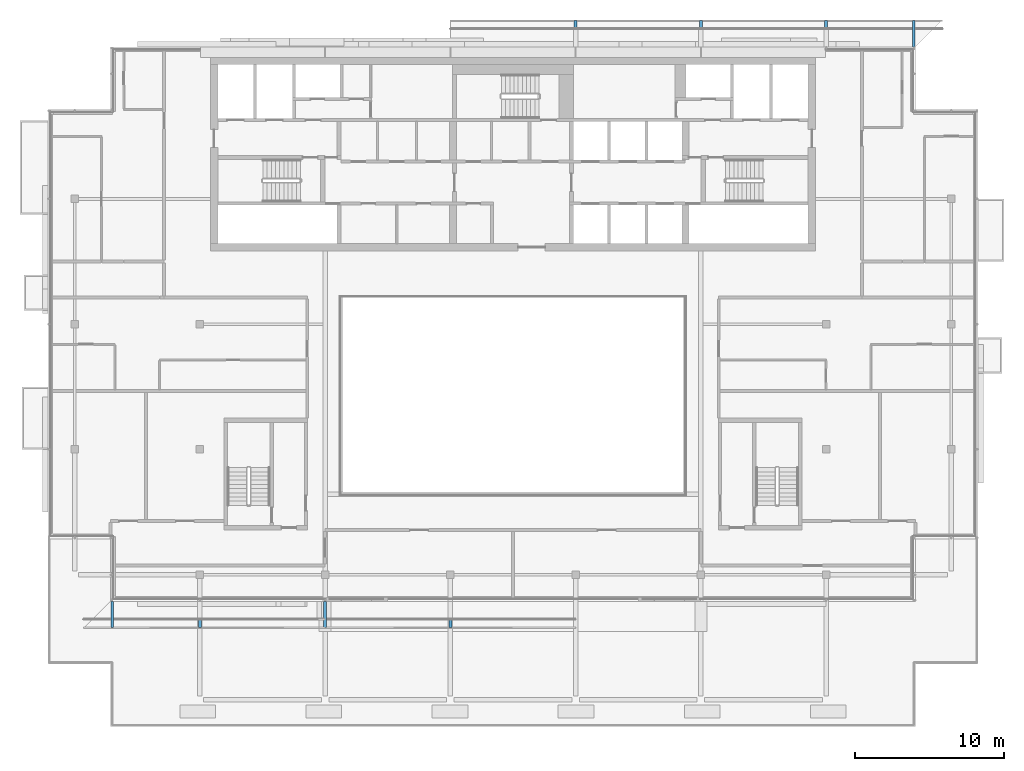
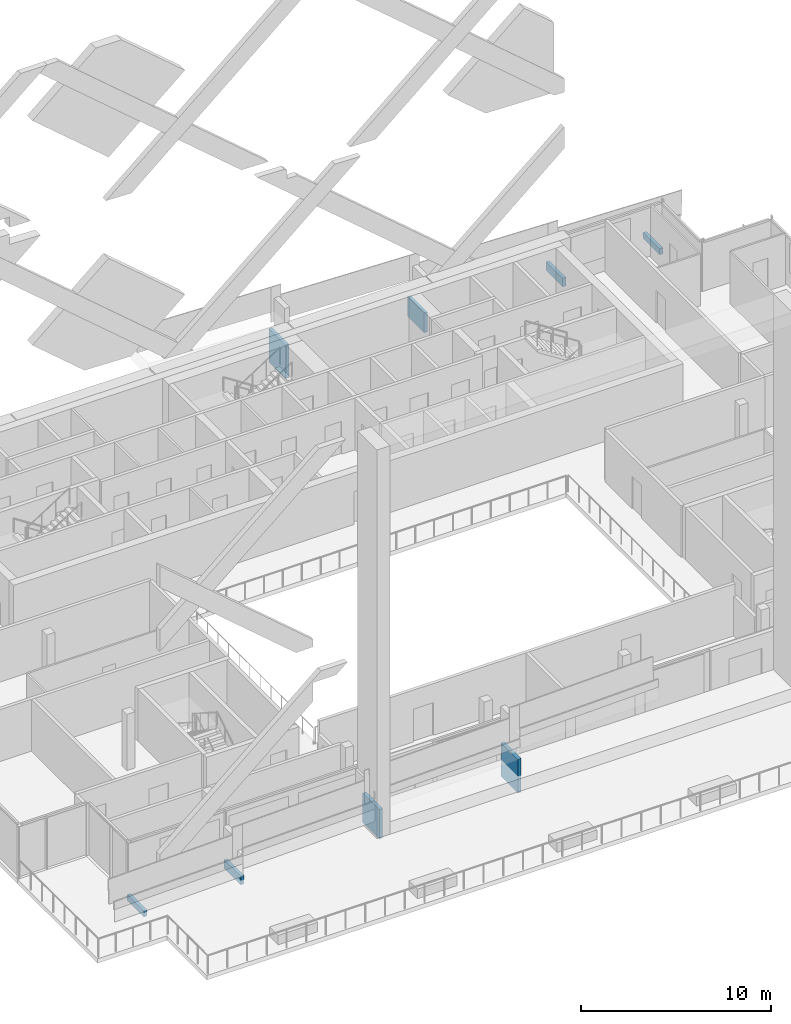
# One storey, part 17 of 22: 8 discrete accessories.
"""IFC4 building model written with IfcOpenShell, lengths in metres."""

from ifc_helpers import new_model, si_unit, direction, frame, origin, origin_2d, place, context, subcontext, project, spatial, rectangle, extrude, element, save


model = new_model("IFC4")

# Units and contexts
model_context = context("Model", 3, precision=1e-05, world=origin(), true_north=direction((0.0, 1.0)))
body_context = subcontext(model_context, "Body", "Model", "MODEL_VIEW")
ifc_project = project(units=[si_unit("LENGTHUNIT", "METRE"), si_unit("AREAUNIT", "SQUARE_METRE"), si_unit("VOLUMEUNIT", "CUBIC_METRE"), si_unit("PLANEANGLEUNIT", "RADIAN"), si_unit("MASSUNIT", "GRAM", prefix="KILO")], contexts=[model_context])

# Site, building, storey
site_placement = place(None, origin())
site = spatial("IfcSite", under=ifc_project, at=site_placement, CompositionType="ELEMENT")
building_placement = place(site_placement, origin())
building = spatial("IfcBuilding", under=site, at=building_placement, Name="Saffron Gate Tower", CompositionType="ELEMENT")
storey_placement = place(building_placement, frame((0.0, 0.0, 285.14990234375)))
storey = spatial("IfcBuildingStorey", under=building, at=storey_placement, Name="L69", CompositionType="ELEMENT", Elevation=285.14990234375)

# Discrete accessories
discrete_accessory_1_placement = place(storey_placement, frame((60.719970703125, 37.52490234375, -0.27978515625), z_axis=(0.0, 0.0, 1.0), x_axis=(1.0, 0.0, 0.0)))
element("IfcDiscreteAccessory", 1, at=discrete_accessory_1_placement, inside=storey, Name="LEDGE rib", PredefinedType="BRACKET", context=body_context, shape_type="SweptSolid", body=[
    extrude(rectangle(XDim=0.199951171875, YDim=1.75, at=origin_2d()), origin(), (0.0, 0.0, 1.0), 0.3798828125),
])
discrete_accessory_2_placement = place(storey_placement, frame((66.60009765625, 37.52490234375, -0.27978515625), z_axis=(0.0, 0.0, 1.0), x_axis=(1.0, 0.0, 0.0)))
element("IfcDiscreteAccessory", 2, at=discrete_accessory_2_placement, inside=storey, Name="LEDGE rib", PredefinedType="BRACKET", context=body_context, shape_type="SweptSolid", body=[
    extrude(rectangle(XDim=0.199951171875, YDim=1.75, at=origin_2d()), origin(), (0.0, 0.0, 1.0), 0.552734375),
])
discrete_accessory_3_placement = place(storey_placement, frame((75.0, 37.52490234375, -0.27978515625), z_axis=(0.0, 0.0, 1.0), x_axis=(1.0, 0.0, 0.0)))
element("IfcDiscreteAccessory", 3, at=discrete_accessory_3_placement, inside=storey, Name="LEDGE rib", PredefinedType="BRACKET", context=body_context, shape_type="SweptSolid", body=[
    extrude(rectangle(XDim=0.199951171875, YDim=1.75, at=origin_2d()), origin(), (0.0, 0.0, 1.0), 1.885498046875),
])
discrete_accessory_4_placement = place(storey_placement, frame((83.39990234375, 37.52490234375, -0.27978515625), z_axis=(0.0, 0.0, 1.0), x_axis=(1.0, 0.0, 0.0)))
element("IfcDiscreteAccessory", 4, at=discrete_accessory_4_placement, inside=storey, Name="LEDGE rib", PredefinedType="BRACKET", context=body_context, shape_type="SweptSolid", body=[
    extrude(rectangle(XDim=0.199951171875, YDim=1.75, at=origin_2d()), origin(), (0.0, 0.0, 1.0), 2.15869140625),
])
discrete_accessory_5_placement = place(storey_placement, frame((114.47998046875, 76.47509765625, -0.27978515625), z_axis=(0.0, 0.0, 1.0), x_axis=(-1.0, 0.0, 0.0)))
element("IfcDiscreteAccessory", 5, at=discrete_accessory_5_placement, inside=storey, Name="LEDGE rib", PredefinedType="BRACKET", context=body_context, shape_type="SweptSolid", body=[
    extrude(rectangle(XDim=0.199951171875, YDim=1.75, at=origin_2d()), origin(), (0.0, 0.0, 1.0), 0.3798828125),
])
discrete_accessory_6_placement = place(storey_placement, frame((108.60009765625, 76.47509765625, -0.27978515625), z_axis=(0.0, 0.0, 1.0), x_axis=(-1.0, 0.0, 0.0)))
element("IfcDiscreteAccessory", 6, at=discrete_accessory_6_placement, inside=storey, Name="LEDGE rib", PredefinedType="BRACKET", context=body_context, shape_type="SweptSolid", body=[
    extrude(rectangle(XDim=0.199951171875, YDim=1.75, at=origin_2d()), origin(), (0.0, 0.0, 1.0), 0.552734375),
])
discrete_accessory_7_placement = place(storey_placement, frame((100.199951171875, 76.47509765625, -0.27978515625), z_axis=(0.0, 0.0, 1.0), x_axis=(-1.0, 0.0, 0.0)))
element("IfcDiscreteAccessory", 7, at=discrete_accessory_7_placement, inside=storey, Name="LEDGE rib", PredefinedType="BRACKET", context=body_context, shape_type="SweptSolid", body=[
    extrude(rectangle(XDim=0.199951171875, YDim=1.75, at=origin_2d()), origin(), (0.0, 0.0, 1.0), 1.26220703125),
])
discrete_accessory_8_placement = place(storey_placement, frame((91.800048828125, 76.47509765625, -0.27978515625), z_axis=(0.0, 0.0, 1.0), x_axis=(-1.0, 0.0, 0.0)))
element("IfcDiscreteAccessory", 8, at=discrete_accessory_8_placement, inside=storey, Name="LEDGE rib", PredefinedType="BRACKET", context=body_context, shape_type="SweptSolid", body=[
    extrude(rectangle(XDim=0.199951171875, YDim=1.75, at=origin_2d()), origin(), (0.0, 0.0, 1.0), 2.15869140625),
])

save(model, "model.ifc")
